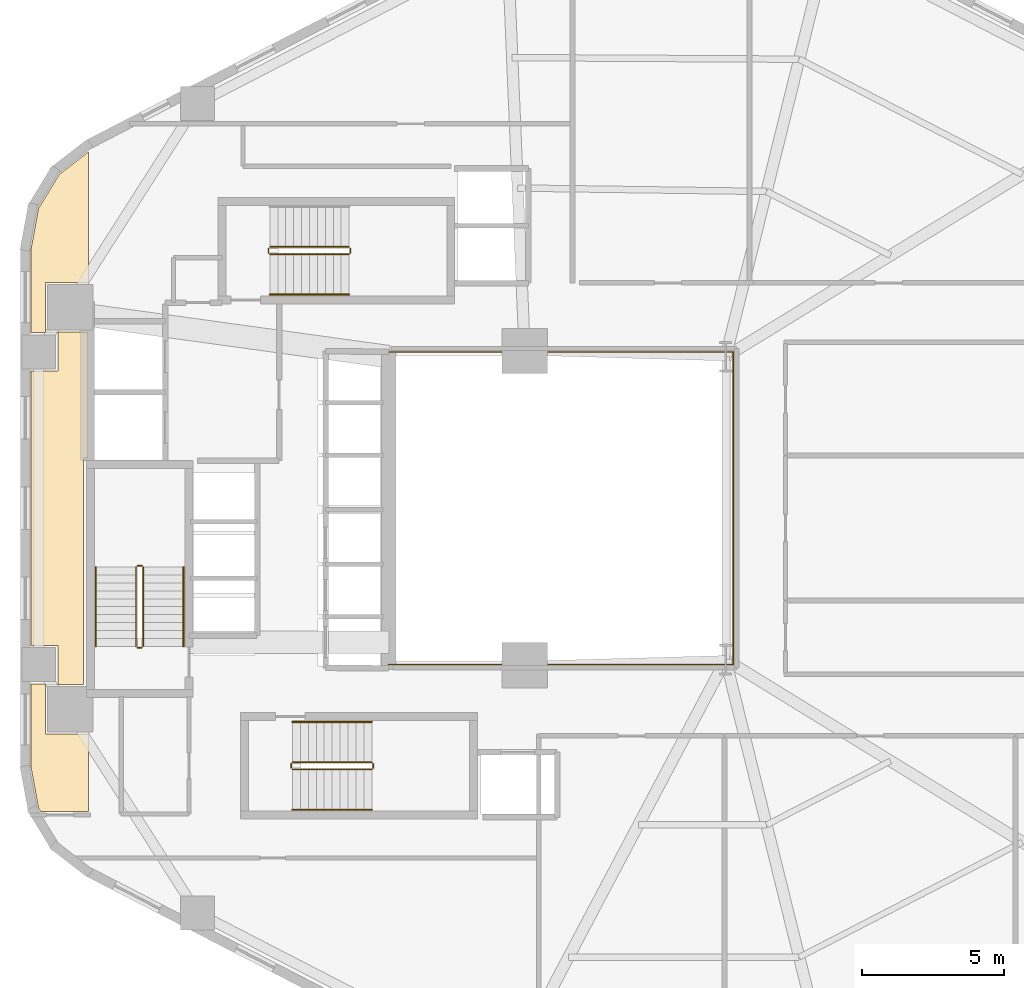
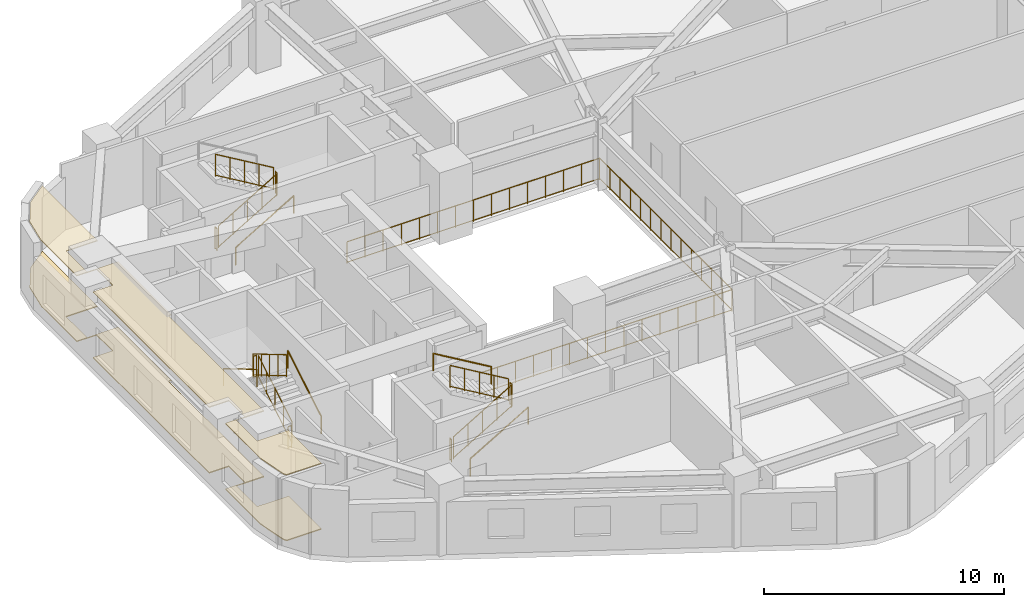
# One storey, part 7 of 8: 18 railings, 2 coverings.
"""IFC4 building model written with IfcOpenShell, lengths in metres."""

from ifc_helpers import new_model, si_unit, direction, frame, origin, origin_2d, place, context, subcontext, project, spatial, polyline, circle, outline, extrude, material, layer, layer_set, type_object, element, save


model = new_model("IFC4")

# Units and contexts
model_context = context("Model", 3, precision=1e-05, world=origin(), true_north=direction((0.0, 1.0)))
body_context = subcontext(model_context, "Body", "Model", "MODEL_VIEW")
ifc_project = project(units=[si_unit("LENGTHUNIT", "METRE"), si_unit("AREAUNIT", "SQUARE_METRE"), si_unit("VOLUMEUNIT", "CUBIC_METRE"), si_unit("PLANEANGLEUNIT", "RADIAN"), si_unit("MASSUNIT", "GRAM", prefix="KILO"), si_unit("THERMODYNAMICTEMPERATUREUNIT", "KELVIN"), si_unit("POWERUNIT", "WATT")], contexts=[model_context])

# Site, building, storey
site_placement = place(None, origin())
site = spatial("IfcSite", under=ifc_project, at=site_placement, CompositionType="ELEMENT")
building_placement = place(site_placement, origin())
building = spatial("IfcBuilding", under=site, at=building_placement, Name="Skarre Station Tower", CompositionType="ELEMENT")
storey_placement = place(building_placement, frame((0.0, 0.0, 63.5)))
storey = spatial("IfcBuildingStorey", under=building, at=storey_placement, Name="L16", CompositionType="ELEMENT", Elevation=63.5)

# Railing
ifc_material_1 = material(Name="Bronze Anodized Steel & Laminated Glass Balustrade", Category="steel")
railing_type_1 = type_object("IfcRailingType", Name="Atrium Void & Mezzanine Guard Balustrade 1120", PredefinedType="GUARDRAIL", material=ifc_material_1)
railing_1_placement = place(storey_placement, frame((27.550048828125, 18.47998046875, 0.0)))
element("IfcRailing", 1, at=railing_1_placement, inside=storey, type_object=railing_type_1, Name="L16 Atrium Void Guard Balustrade", PredefinedType="GUARDRAIL", context=body_context, shape_type="SweptSolid", body=[
    extrude(circle(Radius=0.02392578125, at=origin_2d()), frame((0.0, 0.0, 1.09619140625), z_axis=(1.0, 0.0, 0.0), x_axis=(0.0, 1.0, 0.0)), (0.0, 0.0, 1.0), 12.169921875),
    extrude(circle(Radius=0.02099609375, at=origin_2d()), frame((0.0, 0.0, 0.06005859375), z_axis=(1.0, 0.0, 0.0), x_axis=(0.0, 1.0, 0.0)), (0.0, 0.0, 1.0), 12.169921875),
    extrude(circle(Radius=0.02392578125, at=origin_2d()), frame((12.169921875, 0.0, 1.09619140625), z_axis=(0.0, 1.0, 0.0), x_axis=(-1.0, 0.0, 0.0)), (0.0, 0.0, 1.0), 11.0400390625),
    extrude(circle(Radius=0.02099609375, at=origin_2d()), frame((12.169921875, 0.0, 0.06005859375), z_axis=(0.0, 1.0, 0.0), x_axis=(-1.0, 0.0, 0.0)), (0.0, 0.0, 1.0), 11.0400390625),
    extrude(circle(Radius=0.02392578125, at=origin_2d()), frame((12.169921875, 11.0400390625, 1.09619140625), z_axis=(-1.0, 0.0, 0.0), x_axis=(0.0, -1.0, 0.0)), (0.0, 0.0, 1.0), 12.169921875),
    extrude(circle(Radius=0.02099609375, at=origin_2d()), frame((12.169921875, 11.0400390625, 0.06005859375), z_axis=(-1.0, 0.0, 0.0), x_axis=(0.0, -1.0, 0.0)), (0.0, 0.0, 1.0), 12.169921875),
    extrude(circle(Radius=0.02099609375, at=origin_2d()), origin(), (0.0, 0.0, 1.0), 1.072021484375),
    extrude(circle(Radius=0.02099609375, at=origin_2d()), frame((0.869384765625, 0.0, 0.0)), (0.0, 0.0, 1.0), 1.072021484375),
    extrude(circle(Radius=0.02099609375, at=origin_2d()), frame((1.738525390625, 0.0, 0.0)), (0.0, 0.0, 1.0), 1.072021484375),
    extrude(circle(Radius=0.02099609375, at=origin_2d()), frame((2.60791015625, 0.0, 0.0)), (0.0, 0.0, 1.0), 1.072021484375),
    extrude(circle(Radius=0.02099609375, at=origin_2d()), frame((3.47705078125, 0.0, 0.0)), (0.0, 0.0, 1.0), 1.072021484375),
    extrude(circle(Radius=0.02099609375, at=origin_2d()), frame((4.346435546875, 0.0, 0.0)), (0.0, 0.0, 1.0), 1.072021484375),
    extrude(circle(Radius=0.02099609375, at=origin_2d()), frame((5.215576171875, 0.0, 0.0)), (0.0, 0.0, 1.0), 1.072021484375),
    extrude(circle(Radius=0.02099609375, at=origin_2d()), frame((6.0849609375, 0.0, 0.0)), (0.0, 0.0, 1.0), 1.072021484375),
    extrude(circle(Radius=0.02099609375, at=origin_2d()), frame((6.954345703125, 0.0, 0.0)), (0.0, 0.0, 1.0), 1.072021484375),
    extrude(circle(Radius=0.02099609375, at=origin_2d()), frame((7.823486328125, 0.0, 0.0)), (0.0, 0.0, 1.0), 1.072021484375),
    extrude(circle(Radius=0.02099609375, at=origin_2d()), frame((8.69287109375, 0.0, 0.0)), (0.0, 0.0, 1.0), 1.072021484375),
    extrude(circle(Radius=0.02099609375, at=origin_2d()), frame((9.56201171875, 0.0, 0.0)), (0.0, 0.0, 1.0), 1.072021484375),
    extrude(circle(Radius=0.02099609375, at=origin_2d()), frame((10.431396484375, 0.0, 0.0)), (0.0, 0.0, 1.0), 1.072021484375),
    extrude(circle(Radius=0.02099609375, at=origin_2d()), frame((11.300537109375, 0.0, 0.0)), (0.0, 0.0, 1.0), 1.072021484375),
    extrude(circle(Radius=0.02099609375, at=origin_2d()), frame((12.169921875, 0.0, 0.0)), (0.0, 0.0, 1.0), 1.072021484375),
    extrude(circle(Radius=0.02099609375, at=origin_2d()), frame((12.169921875, 0.84912109375, 0.0)), (0.0, 0.0, 1.0), 1.072021484375),
    extrude(circle(Radius=0.02099609375, at=origin_2d()), frame((12.169921875, 1.698486328125, 0.0)), (0.0, 0.0, 1.0), 1.072021484375),
    extrude(circle(Radius=0.02099609375, at=origin_2d()), frame((12.169921875, 2.547607421875, 0.0)), (0.0, 0.0, 1.0), 1.072021484375),
    extrude(circle(Radius=0.02099609375, at=origin_2d()), frame((12.169921875, 3.39697265625, 0.0)), (0.0, 0.0, 1.0), 1.072021484375),
    extrude(circle(Radius=0.02099609375, at=origin_2d()), frame((12.169921875, 4.24609375, 0.0)), (0.0, 0.0, 1.0), 1.072021484375),
    extrude(circle(Radius=0.02099609375, at=origin_2d()), frame((12.169921875, 5.095458984375, 0.0)), (0.0, 0.0, 1.0), 1.072021484375),
    extrude(circle(Radius=0.02099609375, at=origin_2d()), frame((12.169921875, 5.944580078125, 0.0)), (0.0, 0.0, 1.0), 1.072021484375),
    extrude(circle(Radius=0.02099609375, at=origin_2d()), frame((12.169921875, 6.7939453125, 0.0)), (0.0, 0.0, 1.0), 1.072021484375),
    extrude(circle(Radius=0.02099609375, at=origin_2d()), frame((12.169921875, 7.64306640625, 0.0)), (0.0, 0.0, 1.0), 1.072021484375),
    extrude(circle(Radius=0.02099609375, at=origin_2d()), frame((12.169921875, 8.492431640625, 0.0)), (0.0, 0.0, 1.0), 1.072021484375),
    extrude(circle(Radius=0.02099609375, at=origin_2d()), frame((12.169921875, 9.341552734375, 0.0)), (0.0, 0.0, 1.0), 1.072021484375),
    extrude(circle(Radius=0.02099609375, at=origin_2d()), frame((12.169921875, 10.19091796875, 0.0)), (0.0, 0.0, 1.0), 1.072021484375),
    extrude(circle(Radius=0.02099609375, at=origin_2d()), frame((12.169921875, 11.0400390625, 0.0)), (0.0, 0.0, 1.0), 1.072021484375),
    extrude(circle(Radius=0.02099609375, at=origin_2d()), frame((11.300537109375, 11.0400390625, 0.0)), (0.0, 0.0, 1.0), 1.072021484375),
    extrude(circle(Radius=0.02099609375, at=origin_2d()), frame((10.431396484375, 11.0400390625, 0.0)), (0.0, 0.0, 1.0), 1.072021484375),
    extrude(circle(Radius=0.02099609375, at=origin_2d()), frame((9.56201171875, 11.0400390625, 0.0)), (0.0, 0.0, 1.0), 1.072021484375),
    extrude(circle(Radius=0.02099609375, at=origin_2d()), frame((8.69287109375, 11.0400390625, 0.0)), (0.0, 0.0, 1.0), 1.072021484375),
    extrude(circle(Radius=0.02099609375, at=origin_2d()), frame((7.823486328125, 11.0400390625, 0.0)), (0.0, 0.0, 1.0), 1.072021484375),
    extrude(circle(Radius=0.02099609375, at=origin_2d()), frame((6.954345703125, 11.0400390625, 0.0)), (0.0, 0.0, 1.0), 1.072021484375),
    extrude(circle(Radius=0.02099609375, at=origin_2d()), frame((6.0849609375, 11.0400390625, 0.0)), (0.0, 0.0, 1.0), 1.072021484375),
    extrude(circle(Radius=0.02099609375, at=origin_2d()), frame((5.215576171875, 11.0400390625, 0.0)), (0.0, 0.0, 1.0), 1.072021484375),
    extrude(circle(Radius=0.02099609375, at=origin_2d()), frame((4.346435546875, 11.0400390625, 0.0)), (0.0, 0.0, 1.0), 1.072021484375),
    extrude(circle(Radius=0.02099609375, at=origin_2d()), frame((3.47705078125, 11.0400390625, 0.0)), (0.0, 0.0, 1.0), 1.072021484375),
    extrude(circle(Radius=0.02099609375, at=origin_2d()), frame((2.60791015625, 11.0400390625, 0.0)), (0.0, 0.0, 1.0), 1.072021484375),
    extrude(circle(Radius=0.02099609375, at=origin_2d()), frame((1.738525390625, 11.0400390625, 0.0)), (0.0, 0.0, 1.0), 1.072021484375),
    extrude(circle(Radius=0.02099609375, at=origin_2d()), frame((0.869384765625, 11.0400390625, 0.0)), (0.0, 0.0, 1.0), 1.072021484375),
    extrude(circle(Radius=0.02099609375, at=origin_2d()), frame((0.0, 11.0400390625, 0.0)), (0.0, 0.0, 1.0), 1.072021484375),
])

# Coverings
ifc_material_2 = material(Name="Honed Jura Limestone & Calcium-Sulfate Access Tile", Category="masonry")
ifc_layer_1 = layer(ifc_material_2, 0.050048828125, Name="Honed Jura Limestone & Calcium-Sulfate Access Tile")
ifc_layer_set_1 = layer_set([ifc_layer_1], Name="Honed Jura Limestone & Calcium-Sulfate Access Tile")
covering_type_1 = type_object("IfcCoveringType", Name="Honed Limestone & Raised Access Floor Finish 50", PredefinedType="FLOORING", material=ifc_layer_set_1)
covering_1_placement = place(storey_placement, origin())
element("IfcCovering", 2, at=covering_1_placement, inside=storey, type_object=covering_type_1, Name="L16 Limestone Access Flooring 1", PredefinedType="FLOORING", context=body_context, shape_type="SweptSolid", body=[
    extrude(outline(polyline([(16.93994140625, 36.583984375), (15.910888671875, 35.787109375), (15.178955078125, 34.5859375), (14.9169921875, 33.1669921875), (14.9169921875, 30.200927734375), (15.866943359375, 30.200927734375), (15.866943359375, 28.841064453125), (14.9169921875, 28.841064453125), (14.9169921875, 19.158935546875), (15.866943359375, 19.158935546875), (15.866943359375, 17.799072265625), (14.9169921875, 17.799072265625), (14.9169921875, 14.8330078125), (15.178955078125, 13.4140625), (15.260986328125, 13.280029296875), (16.93994140625, 13.280029296875), (16.93994140625, 16.02001953125), (15.419921875, 16.02001953125), (15.419921875, 17.780029296875), (16.77001953125, 17.780029296875), (16.77001953125, 25.699951171875), (16.77001953125, 25.7080078125), (16.77197265625, 25.716064453125), (16.77294921875, 25.722900390625), (16.77587890625, 25.73095703125), (16.779052734375, 25.738037109375), (16.782958984375, 25.743896484375), (16.7880859375, 25.7509765625), (16.79296875, 25.757080078125), (16.799072265625, 25.761962890625), (16.805908203125, 25.76708984375), (16.81201171875, 25.77099609375), (16.819091796875, 25.77392578125), (16.826904296875, 25.777099609375), (16.833984375, 25.778076171875), (16.842041015625, 25.780029296875), (16.85009765625, 25.780029296875), (16.919921875, 25.780029296875), (16.919921875, 30.219970703125), (15.419921875, 30.219970703125), (15.419921875, 31.97998046875), (16.93994140625, 31.97998046875), (16.93994140625, 36.583984375)])), origin(), (0.0, 0.0, 1.0), 0.050048828125),
])
ifc_material_3 = material(Name="Perforated Nordic Birch Veneer & Mineral Wool", Category="wood")
ifc_layer_2 = layer(ifc_material_3, 0.044921875, Name="Perforated Nordic Birch Veneer & Mineral Wool")
ifc_layer_set_2 = layer_set([ifc_layer_2], Name="Perforated Nordic Birch Veneer & Mineral Wool")
covering_type_2 = type_object("IfcCoveringType", Name="Nordic Birch Slatted Acoustic Suspended Ceiling 45", PredefinedType="CEILING", material=ifc_layer_set_2)
covering_2_placement = place(storey_placement, frame((0.0, 0.0, 3.344970703125)))
element("IfcCovering", 3, at=covering_2_placement, inside=storey, type_object=covering_type_2, Name="L16 Acoustic Birch Ceiling 1", PredefinedType="CEILING", context=body_context, shape_type="SweptSolid", body=[
    extrude(outline(polyline([(16.93994140625, 36.583984375), (15.910888671875, 35.787109375), (15.178955078125, 34.5859375), (14.9169921875, 33.1669921875), (14.9169921875, 30.200927734375), (15.866943359375, 30.200927734375), (15.866943359375, 28.841064453125), (14.9169921875, 28.841064453125), (14.9169921875, 19.158935546875), (15.866943359375, 19.158935546875), (15.866943359375, 17.799072265625), (14.9169921875, 17.799072265625), (14.9169921875, 14.8330078125), (15.178955078125, 13.4140625), (15.260986328125, 13.280029296875), (16.93994140625, 13.280029296875), (16.93994140625, 16.02001953125), (15.419921875, 16.02001953125), (15.419921875, 17.780029296875), (16.77001953125, 17.780029296875), (16.77001953125, 25.699951171875), (16.77001953125, 25.7080078125), (16.77197265625, 25.716064453125), (16.77294921875, 25.722900390625), (16.77587890625, 25.73095703125), (16.779052734375, 25.738037109375), (16.782958984375, 25.743896484375), (16.7880859375, 25.7509765625), (16.79296875, 25.757080078125), (16.799072265625, 25.761962890625), (16.805908203125, 25.76708984375), (16.81201171875, 25.77099609375), (16.819091796875, 25.77392578125), (16.826904296875, 25.777099609375), (16.833984375, 25.778076171875), (16.842041015625, 25.780029296875), (16.85009765625, 25.780029296875), (16.919921875, 25.780029296875), (16.919921875, 30.219970703125), (15.419921875, 30.219970703125), (15.419921875, 31.97998046875), (16.93994140625, 31.97998046875), (16.93994140625, 36.583984375)])), origin(), (0.0, 0.0, 1.0), 0.044921875),
])

# Railings
ifc_material_4 = material(Name="Powder-Coated Tubular Steel", Category="steel")
railing_type_2 = type_object("IfcRailingType", Name="Painted Steel Ramp & Stair Handrail 920", PredefinedType="HANDRAIL", material=ifc_material_4)
railing_2_placement = place(storey_placement, frame((20.300048828125, 19.1201171875, 0.166015625)))
element("IfcRailing", 4, at=railing_2_placement, inside=storey, type_object=railing_type_2, Name="L16 ST-1 stair handrail 1", PredefinedType="HANDRAIL", context=body_context, shape_type="SweptSolid", body=[
    extrude(circle(Radius=0.02392578125, at=origin_2d()), frame((0.0, 0.0, 0.8759765625), z_axis=(0.0, 0.860319559791, 0.509755093197), x_axis=(-1.0, 0.0, 0.0)), (0.0, 0.0, 1.0), 3.25439453125),
    extrude(circle(Radius=0.02099609375, at=origin_2d()), origin(), (0.0, 0.0, 1.0), 0.851806640625),
    extrude(circle(Radius=0.02099609375, at=origin_2d()), frame((0.0, 2.7998046875, 1.658935546875)), (0.0, 0.0, 1.0), 0.851806640625),
])
railing_3_placement = place(storey_placement, frame((17.199951171875, 21.919921875, 1.990966796875)))
element("IfcRailing", 5, at=railing_3_placement, inside=storey, type_object=railing_type_2, Name="L16 ST-1 stair handrail 2", PredefinedType="HANDRAIL", context=body_context, shape_type="SweptSolid", body=[
    extrude(circle(Radius=0.02392578125, at=origin_2d()), frame((0.0, 0.0, 0.8759765625), z_axis=(0.0, -0.860319559791, 0.509755093197), x_axis=(1.0, 0.0, 0.0)), (0.0, 0.0, 1.0), 3.25439453125),
    extrude(circle(Radius=0.02099609375, at=origin_2d()), origin(), (0.0, 0.0, 1.0), 0.851806640625),
    extrude(circle(Radius=0.02099609375, at=origin_2d()), frame((0.0, -2.7998046875, 1.658935546875)), (0.0, 0.0, 1.0), 0.851806640625),
])
railing_4_placement = place(storey_placement, frame((24.14990234375, 13.35009765625, 0.166015625)))
element("IfcRailing", 6, at=railing_4_placement, inside=storey, type_object=railing_type_2, Name="L16 ST-2 stair handrail 1", PredefinedType="HANDRAIL", context=body_context, shape_type="SweptSolid", body=[
    extrude(circle(Radius=0.02392578125, at=origin_2d()), frame((0.0, 0.0, 0.8759765625), z_axis=(0.860339051648, 0.0, 0.50972219513), x_axis=(0.0, 1.0, 0.0)), (0.0, 0.0, 1.0), 3.254638671875),
    extrude(circle(Radius=0.02099609375, at=origin_2d()), origin(), (0.0, 0.0, 1.0), 0.851806640625),
    extrude(circle(Radius=0.02099609375, at=origin_2d()), frame((2.800048828125, 0.0, 1.658935546875)), (0.0, 0.0, 1.0), 0.851806640625),
])
railing_5_placement = place(storey_placement, frame((26.949951171875, 16.449951171875, 1.990966796875)))
element("IfcRailing", 7, at=railing_5_placement, inside=storey, type_object=railing_type_2, Name="L16 ST-2 stair handrail 2", PredefinedType="HANDRAIL", context=body_context, shape_type="SweptSolid", body=[
    extrude(circle(Radius=0.02392578125, at=origin_2d()), frame((0.0, 0.0, 0.8759765625), z_axis=(-0.860339051648, 0.0, 0.50972219513), x_axis=(0.0, -1.0, 0.0)), (0.0, 0.0, 1.0), 3.254638671875),
    extrude(circle(Radius=0.02099609375, at=origin_2d()), origin(), (0.0, 0.0, 1.0), 0.851806640625),
    extrude(circle(Radius=0.02099609375, at=origin_2d()), frame((-2.800048828125, 0.0, 1.658935546875)), (0.0, 0.0, 1.0), 0.851806640625),
])
railing_6_placement = place(storey_placement, frame((23.35009765625, 31.550048828125, 0.166015625)))
element("IfcRailing", 8, at=railing_6_placement, inside=storey, type_object=railing_type_2, Name="L16 ST-3 stair handrail 1", PredefinedType="HANDRAIL", context=body_context, shape_type="SweptSolid", body=[
    extrude(circle(Radius=0.02392578125, at=origin_2d()), frame((0.0, 0.0, 0.8759765625), z_axis=(0.860319559791, 0.0, 0.509755093197), x_axis=(0.0, 1.0, 0.0)), (0.0, 0.0, 1.0), 3.25439453125),
    extrude(circle(Radius=0.02099609375, at=origin_2d()), origin(), (0.0, 0.0, 1.0), 0.851806640625),
    extrude(circle(Radius=0.02099609375, at=origin_2d()), frame((2.7998046875, 0.0, 1.658935546875)), (0.0, 0.0, 1.0), 0.851806640625),
])
railing_type_3 = type_object("IfcRailingType", Name="Painted Steel Stairwell Guardrail 1100", PredefinedType="GUARDRAIL", material=ifc_material_4)
railing_7_placement = place(storey_placement, frame((18.8798828125, 19.1201171875, 0.166015625)))
element("IfcRailing", 9, at=railing_7_placement, inside=storey, type_object=railing_type_3, Name="L16 ST-1 stair guard 1", PredefinedType="GUARDRAIL", context=body_context, shape_type="SweptSolid", body=[
    extrude(circle(Radius=0.02392578125, at=origin_2d()), frame((0.0, 0.0, 1.1259765625), z_axis=(0.0, 0.860319559791, 0.509755093197), x_axis=(-1.0, 0.0, 0.0)), (0.0, 0.0, 1.0), 3.25439453125),
    extrude(circle(Radius=0.02099609375, at=origin_2d()), frame((0.0, 0.0, 0.06005859375), z_axis=(0.0, 0.860319559791, 0.509755093197), x_axis=(-1.0, 0.0, 0.0)), (0.0, 0.0, 1.0), 3.25439453125),
    extrude(circle(Radius=0.02099609375, at=origin_2d()), origin(), (0.0, 0.0, 1.0), 1.101806640625),
    extrude(circle(Radius=0.02099609375, at=origin_2d()), frame((0.0, 0.699951171875, 0.414794921875)), (0.0, 0.0, 1.0), 1.101806640625),
    extrude(circle(Radius=0.02099609375, at=origin_2d()), frame((0.0, 1.39990234375, 0.82958984375)), (0.0, 0.0, 1.0), 1.101806640625),
    extrude(circle(Radius=0.02099609375, at=origin_2d()), frame((0.0, 2.099853515625, 1.244140625)), (0.0, 0.0, 1.0), 1.101806640625),
    extrude(circle(Radius=0.02099609375, at=origin_2d()), frame((0.0, 2.7998046875, 1.658935546875)), (0.0, 0.0, 1.0), 1.101806640625),
])
railing_8_placement = place(storey_placement, frame((18.830078125, 21.969970703125, 1.824951171875)))
element("IfcRailing", 10, at=railing_8_placement, inside=storey, type_object=railing_type_3, Name="L16 ST-1 stair guard 2", PredefinedType="GUARDRAIL", context=body_context, shape_type="SweptSolid", body=[
    extrude(circle(Radius=0.02392578125, at=origin_2d()), frame((0.0, 0.0, 1.1259765625), z_axis=(-1.0, 0.0, 0.0), x_axis=(0.0, -1.0, 0.0)), (0.0, 0.0, 1.0), 0.16015625),
    extrude(circle(Radius=0.02099609375, at=origin_2d()), frame((0.0, 0.0, 0.06005859375), z_axis=(-1.0, 0.0, 0.0), x_axis=(0.0, -1.0, 0.0)), (0.0, 0.0, 1.0), 0.16015625),
    extrude(circle(Radius=0.02099609375, at=origin_2d()), origin(), (0.0, 0.0, 1.0), 1.101806640625),
    extrude(circle(Radius=0.02099609375, at=origin_2d()), frame((-0.16015625, 0.0, 0.0)), (0.0, 0.0, 1.0), 1.101806640625),
])
railing_9_placement = place(storey_placement, frame((18.6201171875, 21.919921875, 1.990966796875)))
element("IfcRailing", 11, at=railing_9_placement, inside=storey, type_object=railing_type_3, Name="L16 ST-1 stair guard 3", PredefinedType="GUARDRAIL", context=body_context, shape_type="SweptSolid", body=[
    extrude(circle(Radius=0.02392578125, at=origin_2d()), frame((0.0, 0.0, 1.1259765625), z_axis=(0.0, -0.860319559791, 0.509755093197), x_axis=(1.0, 0.0, 0.0)), (0.0, 0.0, 1.0), 3.25439453125),
    extrude(circle(Radius=0.02099609375, at=origin_2d()), frame((0.0, 0.0, 0.06005859375), z_axis=(0.0, -0.860319559791, 0.509755093197), x_axis=(1.0, 0.0, 0.0)), (0.0, 0.0, 1.0), 3.25439453125),
    extrude(circle(Radius=0.02099609375, at=origin_2d()), origin(), (0.0, 0.0, 1.0), 1.101806640625),
    extrude(circle(Radius=0.02099609375, at=origin_2d()), frame((0.0, -0.699951171875, 0.414794921875)), (0.0, 0.0, 1.0), 1.101806640625),
    extrude(circle(Radius=0.02099609375, at=origin_2d()), frame((0.0, -1.39990234375, 0.82958984375)), (0.0, 0.0, 1.0), 1.101806640625),
    extrude(circle(Radius=0.02099609375, at=origin_2d()), frame((0.0, -2.099853515625, 1.244140625)), (0.0, 0.0, 1.0), 1.101806640625),
    extrude(circle(Radius=0.02099609375, at=origin_2d()), frame((0.0, -2.7998046875, 1.658935546875)), (0.0, 0.0, 1.0), 1.101806640625),
])
railing_10_placement = place(storey_placement, frame((18.830078125, 19.070068359375, 0.0)))
element("IfcRailing", 12, at=railing_10_placement, inside=storey, type_object=railing_type_3, Name="L16 ST-1 stair guard 4", PredefinedType="GUARDRAIL", context=body_context, shape_type="SweptSolid", body=[
    extrude(circle(Radius=0.02392578125, at=origin_2d()), frame((0.0, 0.0, 1.1259765625), z_axis=(-1.0, 0.0, 0.0), x_axis=(0.0, -1.0, 0.0)), (0.0, 0.0, 1.0), 0.16015625),
    extrude(circle(Radius=0.02099609375, at=origin_2d()), frame((0.0, 0.0, 0.06005859375), z_axis=(-1.0, 0.0, 0.0), x_axis=(0.0, -1.0, 0.0)), (0.0, 0.0, 1.0), 0.16015625),
    extrude(circle(Radius=0.02099609375, at=origin_2d()), origin(), (0.0, 0.0, 1.0), 1.101806640625),
    extrude(circle(Radius=0.02099609375, at=origin_2d()), frame((-0.16015625, 0.0, 0.0)), (0.0, 0.0, 1.0), 1.101806640625),
])
railing_11_placement = place(storey_placement, frame((24.14990234375, 14.77001953125, 0.166015625)))
element("IfcRailing", 13, at=railing_11_placement, inside=storey, type_object=railing_type_3, Name="L16 ST-2 stair guard 1", PredefinedType="GUARDRAIL", context=body_context, shape_type="SweptSolid", body=[
    extrude(circle(Radius=0.02392578125, at=origin_2d()), frame((0.0, 0.0, 1.1259765625), z_axis=(0.860339051648, 0.0, 0.50972219513), x_axis=(0.0, 1.0, 0.0)), (0.0, 0.0, 1.0), 3.254638671875),
    extrude(circle(Radius=0.02099609375, at=origin_2d()), frame((0.0, 0.0, 0.06005859375), z_axis=(0.860339051648, 0.0, 0.50972219513), x_axis=(0.0, 1.0, 0.0)), (0.0, 0.0, 1.0), 3.254638671875),
    extrude(circle(Radius=0.02099609375, at=origin_2d()), origin(), (0.0, 0.0, 1.0), 1.101806640625),
    extrude(circle(Radius=0.02099609375, at=origin_2d()), frame((0.699951171875, 0.0, 0.414794921875)), (0.0, 0.0, 1.0), 1.101806640625),
    extrude(circle(Radius=0.02099609375, at=origin_2d()), frame((1.39990234375, 0.0, 0.82958984375)), (0.0, 0.0, 1.0), 1.101806640625),
    extrude(circle(Radius=0.02099609375, at=origin_2d()), frame((2.10009765625, 0.0, 1.244140625)), (0.0, 0.0, 1.0), 1.101806640625),
    extrude(circle(Radius=0.02099609375, at=origin_2d()), frame((2.800048828125, 0.0, 1.658935546875)), (0.0, 0.0, 1.0), 1.101806640625),
])
railing_12_placement = place(storey_placement, frame((27.0, 14.820068359375, 1.824951171875)))
element("IfcRailing", 14, at=railing_12_placement, inside=storey, type_object=railing_type_3, Name="L16 ST-2 stair guard 2", PredefinedType="GUARDRAIL", context=body_context, shape_type="SweptSolid", body=[
    extrude(circle(Radius=0.02392578125, at=origin_2d()), frame((0.0, 0.0, 1.1259765625), z_axis=(0.0, 1.0, 0.0), x_axis=(-1.0, 0.0, 0.0)), (0.0, 0.0, 1.0), 0.159912109375),
    extrude(circle(Radius=0.02099609375, at=origin_2d()), frame((0.0, 0.0, 0.06005859375), z_axis=(0.0, 1.0, 0.0), x_axis=(-1.0, 0.0, 0.0)), (0.0, 0.0, 1.0), 0.159912109375),
    extrude(circle(Radius=0.02099609375, at=origin_2d()), origin(), (0.0, 0.0, 1.0), 1.101806640625),
    extrude(circle(Radius=0.02099609375, at=origin_2d()), frame((0.0, 0.159912109375, 0.0)), (0.0, 0.0, 1.0), 1.101806640625),
])
railing_13_placement = place(storey_placement, frame((26.949951171875, 15.030029296875, 1.990966796875)))
element("IfcRailing", 15, at=railing_13_placement, inside=storey, type_object=railing_type_3, Name="L16 ST-2 stair guard 3", PredefinedType="GUARDRAIL", context=body_context, shape_type="SweptSolid", body=[
    extrude(circle(Radius=0.02392578125, at=origin_2d()), frame((0.0, 0.0, 1.1259765625), z_axis=(-0.860339051648, 0.0, 0.50972219513), x_axis=(0.0, -1.0, 0.0)), (0.0, 0.0, 1.0), 3.254638671875),
    extrude(circle(Radius=0.02099609375, at=origin_2d()), frame((0.0, 0.0, 0.06005859375), z_axis=(-0.860339051648, 0.0, 0.50972219513), x_axis=(0.0, -1.0, 0.0)), (0.0, 0.0, 1.0), 3.254638671875),
    extrude(circle(Radius=0.02099609375, at=origin_2d()), origin(), (0.0, 0.0, 1.0), 1.101806640625),
    extrude(circle(Radius=0.02099609375, at=origin_2d()), frame((-0.699951171875, 0.0, 0.414794921875)), (0.0, 0.0, 1.0), 1.101806640625),
    extrude(circle(Radius=0.02099609375, at=origin_2d()), frame((-1.39990234375, 0.0, 0.82958984375)), (0.0, 0.0, 1.0), 1.101806640625),
    extrude(circle(Radius=0.02099609375, at=origin_2d()), frame((-2.10009765625, 0.0, 1.244140625)), (0.0, 0.0, 1.0), 1.101806640625),
    extrude(circle(Radius=0.02099609375, at=origin_2d()), frame((-2.800048828125, 0.0, 1.658935546875)), (0.0, 0.0, 1.0), 1.101806640625),
])
railing_14_placement = place(storey_placement, frame((24.10009765625, 14.820068359375, 0.0)))
element("IfcRailing", 16, at=railing_14_placement, inside=storey, type_object=railing_type_3, Name="L16 ST-2 stair guard 4", PredefinedType="GUARDRAIL", context=body_context, shape_type="SweptSolid", body=[
    extrude(circle(Radius=0.02392578125, at=origin_2d()), frame((0.0, 0.0, 1.1259765625), z_axis=(0.0, 1.0, 0.0), x_axis=(-1.0, 0.0, 0.0)), (0.0, 0.0, 1.0), 0.159912109375),
    extrude(circle(Radius=0.02099609375, at=origin_2d()), frame((0.0, 0.0, 0.06005859375), z_axis=(0.0, 1.0, 0.0), x_axis=(-1.0, 0.0, 0.0)), (0.0, 0.0, 1.0), 0.159912109375),
    extrude(circle(Radius=0.02099609375, at=origin_2d()), origin(), (0.0, 0.0, 1.0), 1.101806640625),
    extrude(circle(Radius=0.02099609375, at=origin_2d()), frame((0.0, 0.159912109375, 0.0)), (0.0, 0.0, 1.0), 1.101806640625),
])
railing_15_placement = place(storey_placement, frame((23.35009765625, 32.969970703125, 0.166015625)))
element("IfcRailing", 17, at=railing_15_placement, inside=storey, type_object=railing_type_3, Name="L16 ST-3 stair guard 1", PredefinedType="GUARDRAIL", context=body_context, shape_type="SweptSolid", body=[
    extrude(circle(Radius=0.02392578125, at=origin_2d()), frame((0.0, 0.0, 1.1259765625), z_axis=(0.860319559791, 0.0, 0.509755093197), x_axis=(0.0, 1.0, 0.0)), (0.0, 0.0, 1.0), 3.25439453125),
    extrude(circle(Radius=0.02099609375, at=origin_2d()), frame((0.0, 0.0, 0.06005859375), z_axis=(0.860319559791, 0.0, 0.509755093197), x_axis=(0.0, 1.0, 0.0)), (0.0, 0.0, 1.0), 3.25439453125),
    extrude(circle(Radius=0.02099609375, at=origin_2d()), origin(), (0.0, 0.0, 1.0), 1.101806640625),
    extrude(circle(Radius=0.02099609375, at=origin_2d()), frame((0.699951171875, 0.0, 0.414794921875)), (0.0, 0.0, 1.0), 1.101806640625),
    extrude(circle(Radius=0.02099609375, at=origin_2d()), frame((1.39990234375, 0.0, 0.82958984375)), (0.0, 0.0, 1.0), 1.101806640625),
    extrude(circle(Radius=0.02099609375, at=origin_2d()), frame((2.099853515625, 0.0, 1.244140625)), (0.0, 0.0, 1.0), 1.101806640625),
    extrude(circle(Radius=0.02099609375, at=origin_2d()), frame((2.7998046875, 0.0, 1.658935546875)), (0.0, 0.0, 1.0), 1.101806640625),
])
railing_16_placement = place(storey_placement, frame((26.199951171875, 33.02001953125, 1.824951171875)))
element("IfcRailing", 18, at=railing_16_placement, inside=storey, type_object=railing_type_3, Name="L16 ST-3 stair guard 2", PredefinedType="GUARDRAIL", context=body_context, shape_type="SweptSolid", body=[
    extrude(circle(Radius=0.02392578125, at=origin_2d()), frame((0.0, 0.0, 1.1259765625), z_axis=(0.0, 1.0, 0.0), x_axis=(-1.0, 0.0, 0.0)), (0.0, 0.0, 1.0), 0.159912109375),
    extrude(circle(Radius=0.02099609375, at=origin_2d()), frame((0.0, 0.0, 0.06005859375), z_axis=(0.0, 1.0, 0.0), x_axis=(-1.0, 0.0, 0.0)), (0.0, 0.0, 1.0), 0.159912109375),
    extrude(circle(Radius=0.02099609375, at=origin_2d()), origin(), (0.0, 0.0, 1.0), 1.101806640625),
    extrude(circle(Radius=0.02099609375, at=origin_2d()), frame((0.0, 0.159912109375, 0.0)), (0.0, 0.0, 1.0), 1.101806640625),
])
railing_17_placement = place(storey_placement, frame((26.14990234375, 33.22998046875, 1.990966796875)))
element("IfcRailing", 19, at=railing_17_placement, inside=storey, type_object=railing_type_3, Name="L16 ST-3 stair guard 3", PredefinedType="GUARDRAIL", context=body_context, shape_type="SweptSolid", body=[
    extrude(circle(Radius=0.02392578125, at=origin_2d()), frame((0.0, 0.0, 1.1259765625), z_axis=(-0.860319559791, 0.0, 0.509755093197), x_axis=(0.0, -1.0, 0.0)), (0.0, 0.0, 1.0), 3.25439453125),
    extrude(circle(Radius=0.02099609375, at=origin_2d()), frame((0.0, 0.0, 0.06005859375), z_axis=(-0.860319559791, 0.0, 0.509755093197), x_axis=(0.0, -1.0, 0.0)), (0.0, 0.0, 1.0), 3.25439453125),
    extrude(circle(Radius=0.02099609375, at=origin_2d()), origin(), (0.0, 0.0, 1.0), 1.101806640625),
    extrude(circle(Radius=0.02099609375, at=origin_2d()), frame((-0.699951171875, 0.0, 0.414794921875)), (0.0, 0.0, 1.0), 1.101806640625),
    extrude(circle(Radius=0.02099609375, at=origin_2d()), frame((-1.39990234375, 0.0, 0.82958984375)), (0.0, 0.0, 1.0), 1.101806640625),
    extrude(circle(Radius=0.02099609375, at=origin_2d()), frame((-2.099853515625, 0.0, 1.244140625)), (0.0, 0.0, 1.0), 1.101806640625),
    extrude(circle(Radius=0.02099609375, at=origin_2d()), frame((-2.7998046875, 0.0, 1.658935546875)), (0.0, 0.0, 1.0), 1.101806640625),
])
railing_18_placement = place(storey_placement, frame((23.300048828125, 33.02001953125, 0.0)))
element("IfcRailing", 20, at=railing_18_placement, inside=storey, type_object=railing_type_3, Name="L16 ST-3 stair guard 4", PredefinedType="GUARDRAIL", context=body_context, shape_type="SweptSolid", body=[
    extrude(circle(Radius=0.02392578125, at=origin_2d()), frame((0.0, 0.0, 1.1259765625), z_axis=(0.0, 1.0, 0.0), x_axis=(-1.0, 0.0, 0.0)), (0.0, 0.0, 1.0), 0.159912109375),
    extrude(circle(Radius=0.02099609375, at=origin_2d()), frame((0.0, 0.0, 0.06005859375), z_axis=(0.0, 1.0, 0.0), x_axis=(-1.0, 0.0, 0.0)), (0.0, 0.0, 1.0), 0.159912109375),
    extrude(circle(Radius=0.02099609375, at=origin_2d()), origin(), (0.0, 0.0, 1.0), 1.101806640625),
    extrude(circle(Radius=0.02099609375, at=origin_2d()), frame((0.0, 0.159912109375, 0.0)), (0.0, 0.0, 1.0), 1.101806640625),
])

save(model, "model.ifc")
